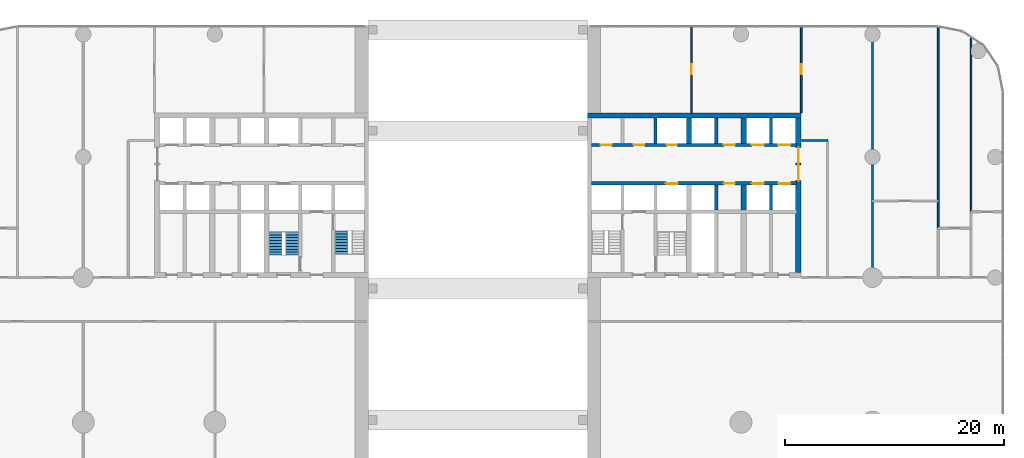
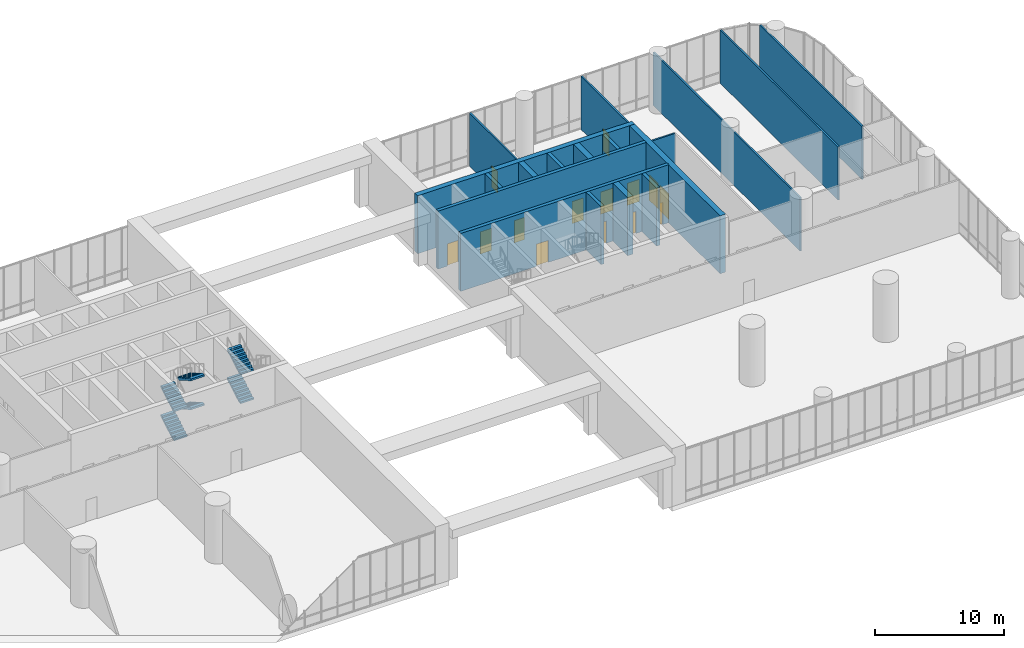
# One storey, part 27 of 30: 18 walls, 14 doors, 6 stair flights, 14 openings, 2 elements without a shape of their own.
"""IFC4 building model written with IfcOpenShell, lengths in metres."""

import ifcopenshell
import ifcopenshell.guid

model = None  # the IFC model being written
_history = None  # IfcOwnerHistory: only IFC2X3 demands one
_inside = {}  # id of a spatial element -> (the spatial element, [elements in it])
_under = {}  # id of a project, library or spatial element -> (it, [spatial elements below it])
_declared = {}  # id of a project -> (the project, [libraries it declares])
_typed = {}  # id of a type object -> (the type object, [elements of that type])
_made_of = {}  # id of a material, layer set ... -> (it, [elements and type objects made of it])


def new_model(schema):
    """Start an empty IFC model of exactly this schema.

    Asked for "IFC4X3", IfcOpenShell would pick the latest addendum, in which some entities
    have other attributes; the version numbers below select the first issue.
    IFC2X3 requires an IfcOwnerHistory on every rooted entity: one is made here for all.
    """
    global model, _history
    if schema == "IFC4X3":
        model = ifcopenshell.file(schema_version=(4, 3, 0, 0))
    else:
        model = ifcopenshell.file(schema=schema)
    _inside.clear()
    _under.clear()
    _declared.clear()
    _typed.clear()
    _made_of.clear()
    _history = None
    if model.schema == "IFC2X3":
        org = make("IfcOrganization", Name="unknown")
        user = make(
            "IfcPersonAndOrganization",
            ThePerson=make("IfcPerson", FamilyName="unknown"),
            TheOrganization=org,
        )
        app = make(
            "IfcApplication",
            ApplicationDeveloper=org,
            Version="unknown",
            ApplicationFullName="unknown",
            ApplicationIdentifier="unknown",
        )
        _history = make(
            "IfcOwnerHistory",
            OwningUser=user,
            OwningApplication=app,
            ChangeAction="ADDED",
            CreationDate=0,
        )
    return model


def make(cls, **values):
    """One entity of the class cls with the attributes given. An attribute that is None is left unset."""
    return model.create_entity(
        cls, **{name: value for name, value in values.items() if value is not None}
    )


def rooted(cls, **values):
    """An entity with a GlobalId (a new one), such as an element, a storey or a relation."""
    return make(cls, GlobalId=ifcopenshell.guid.new(), OwnerHistory=_history, **values)


def si_unit(unit_type, name, prefix=None):
    """IfcSIUnit, for example si_unit("LENGTHUNIT", "METRE", prefix="MILLI")."""
    return make("IfcSIUnit", UnitType=unit_type, Prefix=prefix, Name=name)


def assignment(units):
    """IfcUnitAssignment: the units of a project."""
    return None if units is None else make("IfcUnitAssignment", Units=units)


def point(xyz):
    """IfcCartesianPoint."""
    return None if xyz is None else make("IfcCartesianPoint", Coordinates=xyz)


def direction(xyz):
    """IfcDirection."""
    return None if xyz is None else make("IfcDirection", DirectionRatios=xyz)


def frame(location, z_axis=None, x_axis=None):
    """IfcAxis2Placement3D, a coordinate frame: its origin and axes. An axis left out is left unset."""
    return make(
        "IfcAxis2Placement3D",
        Location=point(location),
        Axis=direction(z_axis),
        RefDirection=direction(x_axis),
    )


def frame_2d(location, x_axis=None):
    """IfcAxis2Placement2D, a coordinate frame in the plane: its origin and x axis."""
    return make(
        "IfcAxis2Placement2D", Location=point(location), RefDirection=direction(x_axis)
    )


def origin():
    """The frame at (0, 0, 0) with its axes left unset."""
    return frame((0.0, 0.0, 0.0))


def place(relative_to, where):
    """IfcLocalPlacement: puts the frame where relative to a parent placement (None: the world)."""
    return make(
        "IfcLocalPlacement", PlacementRelTo=relative_to, RelativePlacement=where
    )


def context(
    kind, dimensions, precision=None, world=None, true_north=None, identifier=None
):
    """IfcGeometricRepresentationContext, for example the 3D "Model" context."""
    return make(
        "IfcGeometricRepresentationContext",
        ContextIdentifier=identifier,
        ContextType=kind,
        CoordinateSpaceDimension=dimensions,
        Precision=precision,
        WorldCoordinateSystem=world,
        TrueNorth=true_north,
    )


def subcontext(parent, identifier, kind, view, scale=None):
    """IfcGeometricRepresentationSubContext, for example "Body" below "Model"."""
    return make(
        "IfcGeometricRepresentationSubContext",
        ContextIdentifier=identifier,
        ContextType=kind,
        ParentContext=parent,
        TargetScale=scale,
        TargetView=view,
    )


def project(units=None, contexts=None):
    """IfcProject with its units and contexts."""
    return rooted(
        "IfcProject",
        Name="project",
        RepresentationContexts=contexts,
        UnitsInContext=assignment(units),
    )


def spatial(cls, under=None, at=None, **own):
    """A site, building, storey or space (cls), placed at a placement, below another one or the project."""
    s = rooted(cls, ObjectPlacement=at, **own)
    if under is not None:
        _under.setdefault(under.id(), (under, []))[1].append(s)
    return s


def polyline(points):
    """IfcPolyline through the points."""
    return make("IfcPolyline", Points=[point(p) for p in points])


def profile(cls, at=None, kind="AREA", **sizes):
    """A parametric profile (cls). Its sizes go by their IFC names, for example OverallWidth=200.0."""
    return make(cls, ProfileType=kind, Position=at, **sizes)


def rectangle(**sizes):
    """IfcRectangleProfileDef."""
    return profile("IfcRectangleProfileDef", **sizes)


def outline(outer, holes=None, kind="AREA"):
    """IfcArbitraryClosedProfileDef: a profile drawn as a closed curve; with holes, ...WithVoids."""
    if holes is None:
        return make("IfcArbitraryClosedProfileDef", ProfileType=kind, OuterCurve=outer)
    return make(
        "IfcArbitraryProfileDefWithVoids",
        ProfileType=kind,
        OuterCurve=outer,
        InnerCurves=holes,
    )


def extrude(swept, where, along, depth):
    """IfcExtrudedAreaSolid: the profile swept, set in the frame where, extruded along a direction by depth."""
    return make(
        "IfcExtrudedAreaSolid",
        SweptArea=swept,
        Position=where,
        ExtrudedDirection=direction(along),
        Depth=depth,
    )


def shape(context_of_items, identifier, shape_type, items):
    """IfcShapeRepresentation: the items that make up one representation, for example the "Body"."""
    return make(
        "IfcShapeRepresentation",
        ContextOfItems=context_of_items,
        RepresentationIdentifier=identifier,
        RepresentationType=shape_type,
        Items=items,
    )


def material(Name=None, Category=None):
    """IfcMaterial."""
    return make("IfcMaterial", Name=Name, Category=Category)


def layer(
    of_material, thickness, ventilated=None, Name=None, Category=None, Priority=None
):
    """IfcMaterialLayer: one layer of a wall or slab, of a material (None: an air gap)."""
    return make(
        "IfcMaterialLayer",
        Material=of_material,
        LayerThickness=thickness,
        IsVentilated=ventilated,
        Name=Name,
        Category=Category,
        Priority=Priority,
    )


def layer_set(layers, Name=None):
    """IfcMaterialLayerSet."""
    return make("IfcMaterialLayerSet", MaterialLayers=layers, LayerSetName=Name)


def made_of(thing, what):
    """Note that an element or type object is made of a material, layer set ...; save() writes the relation."""
    if what is not None:
        _made_of.setdefault(what.id(), (what, []))[1].append(thing)
    return thing


def type_object(cls, material=None, **own):
    """A type object (cls), such as IfcWallType, which elements share."""
    return made_of(rooted(cls, **own), material)


def element(
    cls,
    number,
    at=None,
    inside=None,
    cuts=None,
    type_object=None,
    material=None,
    context=None,
    identifier="Body",
    shape_type=None,
    held_by="IfcProductDefinitionShape",
    body=None,
    shapes=None,
    **own,
):
    """One element of the class cls, such as IfcWall. Its Tag is "e" and its number.

    at: its placement. inside: the storey or other place that contains it. cuts: it is an
    opening in that element (IfcRelVoidsElement). A single representation is given by context,
    identifier, shape_type and body (its items); several are given by shapes. held_by: the class
    of the entity that holds the representations. save() writes the other relations.
    """
    e = rooted(cls, Tag="e%d" % number, ObjectPlacement=at, **own)
    if body is not None:
        shapes = [shape(context, identifier, shape_type, body)]
    if shapes is not None:
        e.Representation = make(held_by, Representations=shapes)
    if inside is not None:
        _inside.setdefault(inside.id(), (inside, []))[1].append(e)
    if cuts is not None:
        rooted(
            "IfcRelVoidsElement", RelatingBuildingElement=cuts, RelatedOpeningElement=e
        )
    if type_object is not None:
        _typed.setdefault(type_object.id(), (type_object, []))[1].append(e)
    return made_of(e, material)


def fill(opening, filler):
    """IfcRelFillsElement: the door or window that sits in an opening."""
    return rooted(
        "IfcRelFillsElement",
        RelatingOpeningElement=opening,
        RelatedBuildingElement=filler,
    )


def aggregate(whole, parts):
    """IfcRelAggregates: a whole, such as a stair, and the parts it consists of."""
    return rooted("IfcRelAggregates", RelatingObject=whole, RelatedObjects=parts)


def save(model, path):
    """Write the relations noted so far, then the file.

    IfcRelAggregates (storeys below a building ...), IfcRelContainedInSpatialStructure (elements
    in a storey), IfcRelDefinesByType, IfcRelAssociatesMaterial and IfcRelDeclares: one each for
    every whole, place, type object, material and project.
    """
    for whole, parts in _under.values():
        aggregate(whole, parts)
    for where, things in _inside.values():
        rooted(
            "IfcRelContainedInSpatialStructure",
            RelatedElements=things,
            RelatingStructure=where,
        )
    for kind, things in _typed.values():
        rooted("IfcRelDefinesByType", RelatedObjects=things, RelatingType=kind)
    for what, things in _made_of.values():
        rooted("IfcRelAssociatesMaterial", RelatedObjects=things, RelatingMaterial=what)
    for by, libraries in _declared.values():
        rooted("IfcRelDeclares", RelatingContext=by, RelatedDefinitions=libraries)
    model.write(path)


model = new_model("IFC4")

# Units and contexts
model_context = context("Model", 3, precision=1e-05, world=origin(), true_north=direction((0.0, 1.0)))
body_context = subcontext(model_context, "Body", "Model", "MODEL_VIEW")
ifc_project = project(units=[si_unit("LENGTHUNIT", "METRE"), si_unit("AREAUNIT", "SQUARE_METRE"), si_unit("VOLUMEUNIT", "CUBIC_METRE"), si_unit("PLANEANGLEUNIT", "RADIAN"), si_unit("MASSUNIT", "GRAM", prefix="KILO")], contexts=[model_context])

# Site, building, storey
site_placement = place(None, origin())
site = spatial("IfcSite", under=ifc_project, at=site_placement, CompositionType="ELEMENT")
building_placement = place(site_placement, origin())
building = spatial("IfcBuilding", under=site, at=building_placement, Name="Torana Hotel and Residences", CompositionType="ELEMENT")
storey_placement = place(building_placement, frame((0.0, 0.0, 12.5)))
storey = spatial("IfcBuildingStorey", under=building, at=storey_placement, Name="L02", CompositionType="ELEMENT", Elevation=12.5)

# Wall, openings, doors
ifc_material_1 = material(Name="Concrete C80/95", Category="concrete")
ifc_layer_1 = layer(ifc_material_1, 0.300048828125)
ifc_layer_set_1 = layer_set([ifc_layer_1], Name="CORE WALL 300 C80/95")
wall_type_1 = type_object("IfcWallType", Name="CORE WALL 300 C80/95", PredefinedType="SHEAR", material=ifc_layer_set_1)
wall_1_placement = place(storey_placement, frame((10.35009765625, -2.89990234375, 0.0), z_axis=(0.0, 0.0, 1.0), x_axis=(1.0, 0.0, 0.0)))
wall_1 = element("IfcWall", 1, at=wall_1_placement, inside=storey, type_object=wall_type_1, Name="Core wall E row-N", PredefinedType="SHEAR", context=body_context, shape_type="SweptSolid", body=[
    extrude(rectangle(XDim=18.699951171875, YDim=0.300048828125, at=frame_2d((9.35009765625, 0.0))), origin(), (0.0, 0.0, 1.0), 5.5),
])
opening_1_placement = place(wall_1_placement, frame((14.64990234375, 0.0, 0.0)))
opening_1 = element("IfcOpeningElement", 2, at=opening_1_placement, cuts=wall_1, Name="Opening LD", PredefinedType="OPENING", context=body_context, shape_type="SweptSolid", body=[
    extrude(rectangle(XDim=1.10009765625, YDim=2.10009765625, at=frame_2d((0.550048828125, 1.050048828125))), frame((0.0, 0.159912109375, 0.0), z_axis=(0.0, -1.0, 0.0), x_axis=(1.0, 0.0, 0.0)), (0.0, 0.0, 1.0), 0.320068359375),
])
opening_2_placement = place(wall_1_placement, frame((17.050048828125, 0.0, 0.0)))
opening_2 = element("IfcOpeningElement", 3, at=opening_2_placement, cuts=wall_1, Name="Opening LD", PredefinedType="OPENING", context=body_context, shape_type="SweptSolid", body=[
    extrude(rectangle(XDim=1.10009765625, YDim=2.10009765625, at=frame_2d((0.550048828125, 1.050048828125))), frame((0.0, 0.159912109375, 0.0), z_axis=(0.0, -1.0, 0.0), x_axis=(1.0, 0.0, 0.0)), (0.0, 0.0, 1.0), 0.320068359375),
])
opening_3_placement = place(wall_1_placement, frame((6.89990234375, 0.0, 0.0)))
opening_3 = element("IfcOpeningElement", 4, at=opening_3_placement, cuts=wall_1, Name="Opening L02-24", PredefinedType="OPENING", context=body_context, shape_type="SweptSolid", body=[
    extrude(rectangle(XDim=0.89990234375, YDim=2.10009765625, at=frame_2d((0.449951171875, 1.050048828125))), frame((0.0, 0.159912109375, 0.0), z_axis=(0.0, -1.0, 0.0), x_axis=(1.0, 0.0, 0.0)), (0.0, 0.0, 1.0), 0.320068359375),
])
opening_4_placement = place(wall_1_placement, frame((0.85009765625, 0.0, 0.0)))
opening_4 = element("IfcOpeningElement", 5, at=opening_4_placement, cuts=wall_1, Name="Opening L02-25", PredefinedType="OPENING", context=body_context, shape_type="SweptSolid", body=[
    extrude(rectangle(XDim=1.0, YDim=2.10009765625, at=frame_2d((0.5, 1.050048828125))), frame((0.0, 0.159912109375, 0.0), z_axis=(0.0, -1.0, 0.0), x_axis=(1.0, 0.0, 0.0)), (0.0, 0.0, 1.0), 0.320068359375),
])
opening_5_placement = place(wall_1_placement, frame((3.85009765625, 0.0, 0.0)))
opening_5 = element("IfcOpeningElement", 6, at=opening_5_placement, cuts=wall_1, Name="Opening L02-26", PredefinedType="OPENING", context=body_context, shape_type="SweptSolid", body=[
    extrude(rectangle(XDim=1.0, YDim=2.10009765625, at=frame_2d((0.5, 1.050048828125))), frame((0.0, 0.159912109375, 0.0), z_axis=(0.0, -1.0, 0.0), x_axis=(1.0, 0.0, 0.0)), (0.0, 0.0, 1.0), 0.320068359375),
])
opening_6_placement = place(wall_1_placement, frame((12.10009765625, 0.0, 0.0)))
opening_6 = element("IfcOpeningElement", 7, at=opening_6_placement, cuts=wall_1, Name="Opening L02-27", PredefinedType="OPENING", context=body_context, shape_type="SweptSolid", body=[
    extrude(rectangle(XDim=1.0, YDim=2.10009765625, at=frame_2d((0.5, 1.050048828125))), frame((0.0, 0.159912109375, 0.0), z_axis=(0.0, -1.0, 0.0), x_axis=(1.0, 0.0, 0.0)), (0.0, 0.0, 1.0), 0.320068359375),
])
ifc_material_2 = material(Name="Steel S235", Category="steel")
door_type_1 = type_object("IfcDoorType", Name="CORE ROOM FIRE DOOR D14 1000x2100", OperationType="SINGLE_SWING_LEFT", PredefinedType="DOOR", material=ifc_material_2)
door_1_placement = place(opening_4_placement, origin())
door_1 = element("IfcDoor", 8, at=door_1_placement, inside=storey, type_object=door_type_1, Name="N0 door L02", OperationType="SINGLE_SWING_RIGHT", OverallHeight=2.10009765625, OverallWidth=1.0, PredefinedType="DOOR", context=body_context, shape_type="SweptSolid", body=[
    extrude(rectangle(XDim=1.0, YDim=2.10009765625, at=frame_2d((0.5, 1.050048828125))), frame((0.0, 0.02490234375, 0.0), z_axis=(0.0, -1.0, 0.0), x_axis=(1.0, 0.0, 0.0)), (0.0, 0.0, 1.0), 0.050048828125),
])
fill(opening_4, door_1)
door_2_placement = place(opening_5_placement, origin())
door_2 = element("IfcDoor", 9, at=door_2_placement, inside=storey, type_object=door_type_1, Name="N1 door L02", OperationType="SINGLE_SWING_RIGHT", OverallHeight=2.10009765625, OverallWidth=1.0, PredefinedType="DOOR", context=body_context, shape_type="SweptSolid", body=[
    extrude(rectangle(XDim=1.0, YDim=2.10009765625, at=frame_2d((0.5, 1.050048828125))), frame((0.0, 0.02490234375, 0.0), z_axis=(0.0, -1.0, 0.0), x_axis=(1.0, 0.0, 0.0)), (0.0, 0.0, 1.0), 0.050048828125),
])
fill(opening_5, door_2)
door_3_placement = place(opening_6_placement, origin())
door_3 = element("IfcDoor", 10, at=door_3_placement, inside=storey, type_object=door_type_1, Name="Free-M3 door L02", OperationType="SINGLE_SWING_RIGHT", OverallHeight=2.10009765625, OverallWidth=1.0, PredefinedType="DOOR", context=body_context, shape_type="SweptSolid", body=[
    extrude(rectangle(XDim=1.0, YDim=2.10009765625, at=frame_2d((0.5, 1.050048828125))), frame((0.0, 0.02490234375, 0.0), z_axis=(0.0, -1.0, 0.0), x_axis=(1.0, 0.0, 0.0)), (0.0, 0.0, 1.0), 0.050048828125),
])
fill(opening_6, door_3)
ifc_material_3 = material(Name="Stainless steel 316", Category="steel")
door_type_2 = type_object("IfcDoorType", Name="LIFT LANDING DOOR LD 1100x2100", OperationType="DOUBLE_DOOR_SLIDING", PredefinedType="USERDEFINED", material=ifc_material_3)
door_4_placement = place(opening_1_placement, origin())
door_4 = element("IfcDoor", 11, at=door_4_placement, inside=storey, type_object=door_type_2, Name="Lift landing door L5 L02", ObjectType="LIFT LANDING DOOR", OperationType="DOUBLE_DOOR_SLIDING", OverallHeight=2.10009765625, OverallWidth=1.10009765625, PredefinedType="USERDEFINED", context=body_context, shape_type="SweptSolid", body=[
    extrude(rectangle(XDim=1.10009765625, YDim=2.10009765625, at=frame_2d((0.550048828125, 1.050048828125))), frame((0.0, 0.02490234375, 0.0), z_axis=(0.0, -1.0, 0.0), x_axis=(1.0, 0.0, 0.0)), (0.0, 0.0, 1.0), 0.050048828125),
])
fill(opening_1, door_4)
door_5_placement = place(opening_2_placement, origin())
door_5 = element("IfcDoor", 12, at=door_5_placement, inside=storey, type_object=door_type_2, Name="Lift landing door L6 L02", ObjectType="LIFT LANDING DOOR", OperationType="DOUBLE_DOOR_SLIDING", OverallHeight=2.10009765625, OverallWidth=1.10009765625, PredefinedType="USERDEFINED", context=body_context, shape_type="SweptSolid", body=[
    extrude(rectangle(XDim=1.10009765625, YDim=2.10009765625, at=frame_2d((0.550048828125, 1.050048828125))), frame((0.0, 0.02490234375, 0.0), z_axis=(0.0, -1.0, 0.0), x_axis=(1.0, 0.0, 0.0)), (0.0, 0.0, 1.0), 0.050048828125),
])
fill(opening_2, door_5)
ifc_material_4 = material(Name="Steel S235", Category="steel")
door_type_3 = type_object("IfcDoorType", Name="RISER ACCESS DOOR D5 900x2100", OperationType="SINGLE_SWING_LEFT", PredefinedType="DOOR", material=ifc_material_4)
door_6_placement = place(opening_3_placement, origin())
door_6 = element("IfcDoor", 13, at=door_6_placement, inside=storey, type_object=door_type_3, Name="N2 door L02", OperationType="SINGLE_SWING_RIGHT", OverallHeight=2.10009765625, OverallWidth=0.89990234375, PredefinedType="DOOR", context=body_context, shape_type="SweptSolid", body=[
    extrude(rectangle(XDim=0.89990234375, YDim=2.10009765625, at=frame_2d((0.449951171875, 1.050048828125))), frame((0.0, 0.02490234375, 0.0), z_axis=(0.0, -1.0, 0.0), x_axis=(1.0, 0.0, 0.0)), (0.0, 0.0, 1.0), 0.050048828125),
])
fill(opening_3, door_6)

wall_2_placement = place(storey_placement, frame((10.35009765625, -6.39990234375, 0.0), z_axis=(0.0, 0.0, 1.0), x_axis=(1.0, 0.0, 0.0)))
wall_2 = element("IfcWall", 14, at=wall_2_placement, inside=storey, type_object=wall_type_1, Name="Core wall E row-S", PredefinedType="SHEAR", context=body_context, shape_type="SweptSolid", body=[
    extrude(rectangle(XDim=18.699951171875, YDim=0.300048828125, at=frame_2d((9.35009765625, 0.0))), origin(), (0.0, 0.0, 1.0), 5.5),
])
opening_7_placement = place(wall_2_placement, frame((14.64990234375, 0.0, 0.0)))
opening_7 = element("IfcOpeningElement", 15, at=opening_7_placement, cuts=wall_2, Name="Opening LD", PredefinedType="OPENING", context=body_context, shape_type="SweptSolid", body=[
    extrude(rectangle(XDim=1.10009765625, YDim=2.10009765625, at=frame_2d((0.550048828125, 1.050048828125))), frame((0.0, 0.159912109375, 0.0), z_axis=(0.0, -1.0, 0.0), x_axis=(1.0, 0.0, 0.0)), (0.0, 0.0, 1.0), 0.320068359375),
])
opening_8_placement = place(wall_2_placement, frame((17.050048828125, 0.0, 0.0)))
opening_8 = element("IfcOpeningElement", 16, at=opening_8_placement, cuts=wall_2, Name="Opening LD", PredefinedType="OPENING", context=body_context, shape_type="SweptSolid", body=[
    extrude(rectangle(XDim=1.10009765625, YDim=2.10009765625, at=frame_2d((0.550048828125, 1.050048828125))), frame((0.0, 0.159912109375, 0.0), z_axis=(0.0, -1.0, 0.0), x_axis=(1.0, 0.0, 0.0)), (0.0, 0.0, 1.0), 0.320068359375),
])
opening_9_placement = place(wall_2_placement, frame((6.800048828125, 0.0, 0.0)))
opening_9 = element("IfcOpeningElement", 17, at=opening_9_placement, cuts=wall_2, Name="Opening LD", PredefinedType="OPENING", context=body_context, shape_type="SweptSolid", body=[
    extrude(rectangle(XDim=1.10009765625, YDim=2.10009765625, at=frame_2d((0.550048828125, 1.050048828125))), frame((0.0, 0.159912109375, 0.0), z_axis=(0.0, -1.0, 0.0), x_axis=(1.0, 0.0, 0.0)), (0.0, 0.0, 1.0), 0.320068359375),
])
opening_10_placement = place(wall_2_placement, frame((12.10009765625, 0.0, 0.0)))
opening_10 = element("IfcOpeningElement", 18, at=opening_10_placement, cuts=wall_2, Name="Opening L02-28", PredefinedType="OPENING", context=body_context, shape_type="SweptSolid", body=[
    extrude(rectangle(XDim=1.0, YDim=2.10009765625, at=frame_2d((0.5, 1.050048828125))), frame((0.0, 0.159912109375, 0.0), z_axis=(0.0, -1.0, 0.0), x_axis=(1.0, 0.0, 0.0)), (0.0, 0.0, 1.0), 0.320068359375),
])
door_7_placement = place(opening_10_placement, frame((0.5, 0.0, 0.0), z_axis=(0.0, 0.0, 1.0), x_axis=(-1.0, 0.0, 0.0)))
door_7 = element("IfcDoor", 19, at=door_7_placement, inside=storey, type_object=door_type_1, Name="Free-M4 door L02", OperationType="SINGLE_SWING_LEFT", OverallHeight=2.10009765625, OverallWidth=1.0, PredefinedType="DOOR", context=body_context, shape_type="SweptSolid", body=[
    extrude(rectangle(XDim=1.0, YDim=2.10009765625, at=frame_2d((0.0, 1.050048828125))), frame((0.0, -0.02490234375, 0.0), z_axis=(0.0, 1.0, 0.0), x_axis=(-1.0, 0.0, 0.0)), (0.0, 0.0, 1.0), 0.050048828125),
])
fill(opening_10, door_7)
door_8_placement = place(opening_7_placement, origin())
door_8 = element("IfcDoor", 20, at=door_8_placement, inside=storey, type_object=door_type_2, Name="Lift landing door L7 L02", ObjectType="LIFT LANDING DOOR", OperationType="DOUBLE_DOOR_SLIDING", OverallHeight=2.10009765625, OverallWidth=1.10009765625, PredefinedType="USERDEFINED", context=body_context, shape_type="SweptSolid", body=[
    extrude(rectangle(XDim=1.10009765625, YDim=2.10009765625, at=frame_2d((0.550048828125, 1.050048828125))), frame((0.0, 0.02490234375, 0.0), z_axis=(0.0, -1.0, 0.0), x_axis=(1.0, 0.0, 0.0)), (0.0, 0.0, 1.0), 0.050048828125),
])
fill(opening_7, door_8)
door_9_placement = place(opening_8_placement, origin())
door_9 = element("IfcDoor", 21, at=door_9_placement, inside=storey, type_object=door_type_2, Name="Lift landing door L8 L02", ObjectType="LIFT LANDING DOOR", OperationType="DOUBLE_DOOR_SLIDING", OverallHeight=2.10009765625, OverallWidth=1.10009765625, PredefinedType="USERDEFINED", context=body_context, shape_type="SweptSolid", body=[
    extrude(rectangle(XDim=1.10009765625, YDim=2.10009765625, at=frame_2d((0.550048828125, 1.050048828125))), frame((0.0, 0.02490234375, 0.0), z_axis=(0.0, -1.0, 0.0), x_axis=(1.0, 0.0, 0.0)), (0.0, 0.0, 1.0), 0.050048828125),
])
fill(opening_8, door_9)
door_10_placement = place(opening_9_placement, origin())
door_10 = element("IfcDoor", 22, at=door_10_placement, inside=storey, type_object=door_type_2, Name="Lift landing door SV2 L02", ObjectType="LIFT LANDING DOOR", OperationType="DOUBLE_DOOR_SLIDING", OverallHeight=2.10009765625, OverallWidth=1.10009765625, PredefinedType="USERDEFINED", context=body_context, shape_type="SweptSolid", body=[
    extrude(rectangle(XDim=1.10009765625, YDim=2.10009765625, at=frame_2d((0.550048828125, 1.050048828125))), frame((0.0, 0.02490234375, 0.0), z_axis=(0.0, -1.0, 0.0), x_axis=(1.0, 0.0, 0.0)), (0.0, 0.0, 1.0), 0.050048828125),
])
fill(opening_9, door_10)

# Walls
for number, where, z_axis, x_axis, name in (
    (23, (16.199951171875, -2.75, 0.0), (0.0, 0.0, 1.0), (0.0, 1.0, 0.0), "Core wall E x6.05-N"),
    (24, (21.75, -2.75, 0.0), (0.0, 0.0, 1.0), (0.0, 1.0, 0.0), "Core wall E mm-N"),
    (25, (21.75, -8.85009765625, 0.0), (0.0, 0.0, 1.0), (0.0, 1.0, 0.0), "Core wall E mm-S"),
    (26, (26.75, -2.75, 0.0), (0.0, 0.0, 1.0), (0.0, 1.0, 0.0), "Core wall E ll-N"),
    (27, (26.75, -8.85009765625, 0.0), (0.0, 0.0, 1.0), (0.0, 1.0, 0.0), "Core wall E ll-S"),
):
    element("IfcWall", number, at=place(storey_placement, frame(where, z_axis=z_axis, x_axis=x_axis)), inside=storey, type_object=wall_type_1, Name=name, PredefinedType="SHEAR", context=body_context, shape_type="SweptSolid", body=[
        extrude(rectangle(XDim=2.300048828125, YDim=0.300048828125, at=frame_2d((1.14990234375, 0.0))), origin(), (0.0, 0.0, 1.0), 5.5),
    ])
ifc_material_5 = material(Name="Concrete C80/95", Category="concrete")
ifc_layer_2 = layer(ifc_material_5, 0.449951171875)
ifc_layer_set_2 = layer_set([ifc_layer_2], Name="CORE WALL 450 C80/95")
wall_type_2 = type_object("IfcWallType", Name="CORE WALL 450 C80/95", PredefinedType="SHEAR", material=ifc_layer_set_2)
wall_3_placement = place(storey_placement, frame((10.0, -0.22509765625, 0.0), z_axis=(0.0, 0.0, 1.0), x_axis=(1.0, 0.0, 0.0)))
element("IfcWall", 28, at=wall_3_placement, inside=storey, type_object=wall_type_2, Name="Core wall E rear", PredefinedType="SHEAR", context=body_context, shape_type="SweptSolid", body=[
    extrude(rectangle(XDim=19.5, YDim=0.449951171875, at=frame_2d((9.75, 0.0))), origin(), (0.0, 0.0, 1.0), 5.5),
])
wall_4_placement = place(storey_placement, frame((19.27490234375, -2.75, 0.0), z_axis=(0.0, 0.0, 1.0), x_axis=(0.0, 1.0, 0.0)))
element("IfcWall", 29, at=wall_4_placement, inside=storey, type_object=wall_type_2, Name="Core wall E hm-N", PredefinedType="SHEAR", context=body_context, shape_type="SweptSolid", body=[
    extrude(rectangle(XDim=2.300048828125, YDim=0.449951171875, at=frame_2d((1.14990234375, 0.0))), origin(), (0.0, 0.0, 1.0), 5.5),
])

# Wall, openings, doors
ifc_material_6 = material(Name="Concrete C80/95", Category="concrete")
ifc_layer_3 = layer(ifc_material_6, 0.5)
ifc_layer_set_3 = layer_set([ifc_layer_3], Name="CORE WALL 500 C80/95")
wall_type_3 = type_object("IfcWallType", Name="CORE WALL 500 C80/95", PredefinedType="SHEAR", material=ifc_layer_set_3)
wall_5_placement = place(storey_placement, frame((29.25, -14.550048828125, 0.0), z_axis=(0.0, 0.0, 1.0), x_axis=(0.0, 1.0, 0.0)))
wall_5 = element("IfcWall", 30, at=wall_5_placement, inside=storey, type_object=wall_type_3, Name="Core wall E outer", PredefinedType="SHEAR", context=body_context, shape_type="SweptSolid", body=[
    extrude(rectangle(XDim=14.10009765625, YDim=0.5, at=frame_2d((7.050048828125, 0.0))), origin(), (0.0, 0.0, 1.0), 5.5),
])
opening_11_placement = place(wall_5_placement, frame((8.39990234375, 0.0, 0.0)))
opening_11 = element("IfcOpeningElement", 31, at=opening_11_placement, cuts=wall_5, Name="Opening L02-16", PredefinedType="OPENING", context=body_context, shape_type="SweptSolid", body=[
    extrude(rectangle(XDim=1.39990234375, YDim=2.39990234375, at=frame_2d((0.699951171875, 1.199951171875))), frame((0.0, 0.260009765625, 0.0), z_axis=(0.0, -1.0, 0.0), x_axis=(1.0, 0.0, 0.0)), (0.0, 0.0, 1.0), 0.52001953125),
])
opening_12_placement = place(wall_5_placement, frame((10.0, 0.0, 0.0)))
opening_12 = element("IfcOpeningElement", 32, at=opening_12_placement, cuts=wall_5, Name="Opening L02-17", PredefinedType="OPENING", context=body_context, shape_type="SweptSolid", body=[
    extrude(rectangle(XDim=1.39990234375, YDim=2.39990234375, at=frame_2d((0.699951171875, 1.199951171875))), frame((0.0, 0.260009765625, 0.0), z_axis=(0.0, -1.0, 0.0), x_axis=(1.0, 0.0, 0.0)), (0.0, 0.0, 1.0), 0.52001953125),
])
ifc_material_7 = material(Name="Steel S235", Category="steel")
door_type_4 = type_object("IfcDoorType", Name="LOBBY FIRE DOOR D4 1400x2400", OperationType="DOUBLE_DOOR_SINGLE_SWING", PredefinedType="DOOR", material=ifc_material_7)
door_11_placement = place(opening_11_placement, origin())
door_11 = element("IfcDoor", 33, at=door_11_placement, inside=storey, type_object=door_type_4, Name="Lobby-1 door L02", OperationType="DOUBLE_DOOR_SINGLE_SWING", OverallHeight=2.39990234375, OverallWidth=1.39990234375, PredefinedType="DOOR", context=body_context, shape_type="SweptSolid", body=[
    extrude(rectangle(XDim=1.39990234375, YDim=2.39990234375, at=frame_2d((0.699951171875, 1.199951171875))), frame((0.0, 0.02490234375, 0.0), z_axis=(0.0, -1.0, 0.0), x_axis=(1.0, 0.0, 0.0)), (0.0, 0.0, 1.0), 0.050048828125),
])
fill(opening_11, door_11)
door_12_placement = place(opening_12_placement, origin())
door_12 = element("IfcDoor", 34, at=door_12_placement, inside=storey, type_object=door_type_4, Name="Lobby-2 door L02", OperationType="DOUBLE_DOOR_SINGLE_SWING", OverallHeight=2.39990234375, OverallWidth=1.39990234375, PredefinedType="DOOR", context=body_context, shape_type="SweptSolid", body=[
    extrude(rectangle(XDim=1.39990234375, YDim=2.39990234375, at=frame_2d((0.699951171875, 1.199951171875))), frame((0.0, 0.02490234375, 0.0), z_axis=(0.0, -1.0, 0.0), x_axis=(1.0, 0.0, 0.0)), (0.0, 0.0, 1.0), 0.050048828125),
])
fill(opening_12, door_12)

# Walls
for number, where, z_axis, x_axis, name in (
    (35, (24.25, -2.75, 0.0), (0.0, 0.0, 1.0), (0.0, 1.0, 0.0), "Core wall E ml-N"),
    (36, (24.25, -8.85009765625, 0.0), (0.0, 0.0, 1.0), (0.0, 1.0, 0.0), "Core wall E ml-S"),
):
    element("IfcWall", number, at=place(storey_placement, frame(where, z_axis=z_axis, x_axis=x_axis)), inside=storey, type_object=wall_type_3, Name=name, PredefinedType="SHEAR", context=body_context, shape_type="SweptSolid", body=[
        extrude(rectangle(XDim=2.300048828125, YDim=0.5, at=frame_2d((1.14990234375, 0.0))), origin(), (0.0, 0.0, 1.0), 5.5),
    ])
ifc_material_8 = material(Name="Gypsum plaster")
ifc_layer_4 = layer(ifc_material_8, 0.014892578125, Name="Plaster", Category="finish")
ifc_material_9 = material(Name="Concrete blockwork", Category="masonry")
ifc_layer_5 = layer(ifc_material_9, 0.1201171875, Name="Blockwork", Category="structure")
ifc_layer_6 = layer(ifc_material_8, 0.014892578125, Name="Plaster", Category="finish")
ifc_layer_set_4 = layer_set([ifc_layer_4, ifc_layer_5, ifc_layer_6], Name="FIRE PARTITION 150 BLOCKWORK")
wall_type_4 = type_object("IfcWallType", Name="FIRE PARTITION 150 BLOCKWORK", PredefinedType="PARTITIONING", material=ifc_layer_set_4)
wall_6_placement = place(storey_placement, frame((29.550048828125, -2.5, 0.0), z_axis=(0.0, 0.0, 1.0), x_axis=(1.0, 0.0, 0.0)))
element("IfcWall", 37, at=wall_6_placement, inside=storey, type_object=wall_type_4, Name="Partition L02", PredefinedType="PARTITIONING", context=body_context, shape_type="SweptSolid", body=[
    extrude(rectangle(XDim=2.349853515625, YDim=0.14990234375, at=frame_2d((1.1748046875, 0.0))), origin(), (0.0, 0.0, 1.0), 5.050048828125),
])
ifc_material_10 = material(Name="Gypsum plasterboard")
ifc_layer_7 = layer(ifc_material_10, 0.012451171875, Name="Plasterboard", Category="finish")
ifc_layer_8 = layer(ifc_material_10, 0.012451171875, Name="Plasterboard", Category="finish")
ifc_material_11 = material(Name="Steel S280GD", Category="steel")
ifc_layer_9 = layer(ifc_material_11, 0.10009765625, Name="Steel studs with mineral wool", Category="insulation")
ifc_layer_10 = layer(ifc_material_10, 0.012451171875, Name="Plasterboard", Category="finish")
ifc_layer_11 = layer(ifc_material_10, 0.012451171875, Name="Plasterboard", Category="finish")
ifc_layer_set_5 = layer_set([ifc_layer_7, ifc_layer_8, ifc_layer_9, ifc_layer_10, ifc_layer_11], Name="PARTITION 150 PLASTERBOARD")
wall_type_5 = type_object("IfcWallType", Name="PARTITION 150 PLASTERBOARD", PredefinedType="PARTITIONING", material=ifc_layer_set_5)
wall_7_placement = place(storey_placement, frame((45.0, -9.0, 0.0), z_axis=(0.0, 0.0, 1.0), x_axis=(0.0, 1.0, 0.0)))
element("IfcWall", 38, at=wall_7_placement, inside=storey, type_object=wall_type_5, Name="Partition L02", PredefinedType="PARTITIONING", context=body_context, shape_type="SweptSolid", body=[
    extrude(rectangle(XDim=15.8564453125, YDim=0.14990234375, at=frame_2d((7.92822265625, 0.0))), origin(), (0.0, 0.0, 1.0), 5.050048828125),
])
wall_8_placement = place(storey_placement, frame((42.0, -10.5, 0.0), z_axis=(0.0, 0.0, 1.0), x_axis=(0.0, 1.0, 0.0)))
element("IfcWall", 39, at=wall_8_placement, inside=storey, type_object=wall_type_5, Name="Partition L02", PredefinedType="PARTITIONING", context=body_context, shape_type="SweptSolid", body=[
    extrude(rectangle(XDim=18.31640625, YDim=0.14990234375, at=frame_2d((9.158203125, 0.0))), origin(), (0.0, 0.0, 1.0), 5.050048828125),
])
wall_9_placement = place(storey_placement, frame((36.0, -15.0, 0.0), z_axis=(0.0, 0.0, 1.0), x_axis=(0.0, 1.0, 0.0)))
element("IfcWall", 40, at=wall_9_placement, inside=storey, type_object=wall_type_5, Name="Partition L02", PredefinedType="PARTITIONING", context=body_context, shape_type="SweptSolid", body=[
    extrude(rectangle(XDim=22.820068359375, YDim=0.14990234375, at=frame_2d((11.41015625, 0.0))), origin(), (0.0, 0.0, 1.0), 5.050048828125),
])

# Wall, opening, door
wall_10_placement = place(storey_placement, frame((29.5, 0.050048828125, 0.0), z_axis=(0.0, 0.0, 1.0), x_axis=(0.0, 1.0, 0.0)))
wall_10 = element("IfcWall", 41, at=wall_10_placement, inside=storey, type_object=wall_type_5, Name="Partition L02", PredefinedType="PARTITIONING", context=body_context, shape_type="SweptSolid", body=[
    extrude(rectangle(XDim=7.77001953125, YDim=0.14990234375, at=frame_2d((3.885009765625, 0.0))), origin(), (0.0, 0.0, 1.0), 5.050048828125),
])
opening_13_placement = place(wall_10_placement, frame((3.5, 0.0, 0.0)))
opening_13 = element("IfcOpeningElement", 42, at=opening_13_placement, cuts=wall_10, Name="Opening L02-40", PredefinedType="OPENING", context=body_context, shape_type="SweptSolid", body=[
    extrude(rectangle(XDim=0.89990234375, YDim=2.10009765625, at=frame_2d((0.449951171875, 1.050048828125))), frame((0.0, 0.0849609375, 0.0), z_axis=(0.0, -1.0, 0.0), x_axis=(1.0, 0.0, 0.0)), (0.0, 0.0, 1.0), 0.169921875),
])
ifc_material_12 = material(Name="Timber door, oiled ash", Category="wood")
door_type_5 = type_object("IfcDoorType", Name="ROOM DOOR D7 900x2100", OperationType="SINGLE_SWING_LEFT", PredefinedType="DOOR", material=ifc_material_12)
door_13_placement = place(opening_13_placement, origin())
door_13 = element("IfcDoor", 43, at=door_13_placement, inside=storey, type_object=door_type_5, Name="Door L02", OperationType="SINGLE_SWING_RIGHT", OverallHeight=2.10009765625, OverallWidth=0.89990234375, PredefinedType="DOOR", context=body_context, shape_type="SweptSolid", body=[
    extrude(rectangle(XDim=0.89990234375, YDim=2.10009765625, at=frame_2d((0.449951171875, 1.050048828125))), frame((0.0, 0.02490234375, 0.0), z_axis=(0.0, -1.0, 0.0), x_axis=(1.0, 0.0, 0.0)), (0.0, 0.0, 1.0), 0.050048828125),
])
fill(opening_13, door_13)

wall_11_placement = place(storey_placement, frame((19.5, 0.050048828125, 0.0), z_axis=(0.0, 0.0, 1.0), x_axis=(0.0, 1.0, 0.0)))
wall_11 = element("IfcWall", 44, at=wall_11_placement, inside=storey, type_object=wall_type_5, Name="Partition L02", PredefinedType="PARTITIONING", context=body_context, shape_type="SweptSolid", body=[
    extrude(rectangle(XDim=7.77001953125, YDim=0.14990234375, at=frame_2d((3.885009765625, 0.0))), origin(), (0.0, 0.0, 1.0), 5.050048828125),
])
opening_14_placement = place(wall_11_placement, frame((3.5, 0.0, 0.0)))
opening_14 = element("IfcOpeningElement", 45, at=opening_14_placement, cuts=wall_11, Name="Opening L02-41", PredefinedType="OPENING", context=body_context, shape_type="SweptSolid", body=[
    extrude(rectangle(XDim=0.89990234375, YDim=2.10009765625, at=frame_2d((0.449951171875, 1.050048828125))), frame((0.0, 0.0849609375, 0.0), z_axis=(0.0, -1.0, 0.0), x_axis=(1.0, 0.0, 0.0)), (0.0, 0.0, 1.0), 0.169921875),
])
door_14_placement = place(opening_14_placement, origin())
door_14 = element("IfcDoor", 46, at=door_14_placement, inside=storey, type_object=door_type_5, Name="Door L02", OperationType="SINGLE_SWING_RIGHT", OverallHeight=2.10009765625, OverallWidth=0.89990234375, PredefinedType="DOOR", context=body_context, shape_type="SweptSolid", body=[
    extrude(rectangle(XDim=0.89990234375, YDim=2.10009765625, at=frame_2d((0.449951171875, 1.050048828125))), frame((0.0, 0.02490234375, 0.0), z_axis=(0.0, -1.0, 0.0), x_axis=(1.0, 0.0, 0.0)), (0.0, 0.0, 1.0), 0.050048828125),
])
fill(opening_14, door_14)

# Stair, stair flights
ifc_material_13 = material(Name="Concrete C40/50 precast", Category="concrete")
stair_type_1 = type_object("IfcStairType", Name="STAIR ST1 HALF TURN 1200", PredefinedType="HALF_TURN_STAIR", material=ifc_material_13)
stair_1_placement = place(storey_placement, origin())
stair_1 = element("IfcStair", 47, at=stair_1_placement, inside=storey, type_object=stair_type_1, Name="Stair ST1 L02", PredefinedType="HALF_TURN_STAIR")
ifc_material_14 = material(Name="Concrete C40/50 precast", Category="concrete")
stair_flight_type = type_object("IfcStairFlightType", Name="STAIR FLIGHT 1200 PRECAST", PredefinedType="STRAIGHT", material=ifc_material_14)
stair_flight_1_placement = place(storey_placement, frame((-12.449951171875, -12.8701171875, 1.375), z_axis=(0.0, 0.0, 1.0), x_axis=(0.0, 1.0, 0.0)))
stair_flight_1 = element("IfcStairFlight", 48, at=stair_flight_1_placement, type_object=stair_flight_type, Name="ST1 flight 2", NumberOfRisers=9, NumberOfTreads=8, PredefinedType="STRAIGHT", RiserHeight=0.152777778, TreadLength=0.265, context=body_context, shape_type="SweptSolid", body=[
    extrude(outline(polyline([(0.0, 0.0), (0.0, 0.15283203125), (0.264892578125, 0.15283203125), (0.264892578125, 0.3056640625), (0.530029296875, 0.3056640625), (0.530029296875, 0.458251953125), (0.794921875, 0.458251953125), (0.794921875, 0.611083984375), (1.06005859375, 0.611083984375), (1.06005859375, 0.763916015625), (1.324951171875, 0.763916015625), (1.324951171875, 0.916748046875), (1.590087890625, 0.916748046875), (1.590087890625, 1.0693359375), (1.85498046875, 1.0693359375), (1.85498046875, 1.22216796875), (2.1201171875, 1.22216796875), (2.1201171875, 1.375), (2.1201171875, 1.049072265625), (0.300048828125, 0.0), (0.0, 0.0)])), frame((0.0, 0.60009765625, 0.0), z_axis=(0.0, -1.0, 0.0), x_axis=(1.0, 0.0, 0.0)), (0.0, 0.0, 1.0), 1.199951171875),
])
stair_flight_2_placement = place(storey_placement, frame((-12.449951171875, -12.8701171875, 4.125), z_axis=(0.0, 0.0, 1.0), x_axis=(0.0, 1.0, 0.0)))
stair_flight_2 = element("IfcStairFlight", 49, at=stair_flight_2_placement, type_object=stair_flight_type, Name="ST1 flight 4", NumberOfRisers=9, NumberOfTreads=8, PredefinedType="STRAIGHT", RiserHeight=0.152777778, TreadLength=0.265, context=body_context, shape_type="SweptSolid", body=[
    extrude(outline(polyline([(0.0, 0.0), (0.0, 0.15283203125), (0.264892578125, 0.15283203125), (0.264892578125, 0.3056640625), (0.530029296875, 0.3056640625), (0.530029296875, 0.458251953125), (0.794921875, 0.458251953125), (0.794921875, 0.611083984375), (1.06005859375, 0.611083984375), (1.06005859375, 0.763916015625), (1.324951171875, 0.763916015625), (1.324951171875, 0.916748046875), (1.590087890625, 0.916748046875), (1.590087890625, 1.0693359375), (1.85498046875, 1.0693359375), (1.85498046875, 1.22216796875), (2.1201171875, 1.22216796875), (2.1201171875, 1.375), (2.1201171875, 1.049072265625), (0.300048828125, 0.0), (0.0, 0.0)])), frame((0.0, 0.60009765625, 0.0), z_axis=(0.0, -1.0, 0.0), x_axis=(1.0, 0.0, 0.0)), (0.0, 0.0, 1.0), 1.199951171875),
])
aggregate(stair_1, [stair_flight_1, stair_flight_2])

ifc_material_15 = material(Name="Concrete C40/50 precast", Category="concrete")
stair_type_2 = type_object("IfcStairType", Name="STAIR ST2 HALF TURN 1200", PredefinedType="HALF_TURN_STAIR", material=ifc_material_15)
stair_2_placement = place(storey_placement, origin())
stair_2 = element("IfcStair", 50, at=stair_2_placement, inside=storey, type_object=stair_type_2, Name="Stair ST2 L02", PredefinedType="HALF_TURN_STAIR")
stair_flight_3_placement = place(storey_placement, frame((-18.449951171875, -12.949951171875, 0.0), z_axis=(0.0, 0.0, 1.0), x_axis=(0.0, 1.0, 0.0)))
stair_flight_3 = element("IfcStairFlight", 51, at=stair_flight_3_placement, type_object=stair_flight_type, Name="ST2 flight 1", NumberOfRisers=9, NumberOfTreads=8, PredefinedType="STRAIGHT", RiserHeight=0.152777778, TreadLength=0.265, context=body_context, shape_type="SweptSolid", body=[
    extrude(outline(polyline([(0.0, 0.0), (0.0, 0.15283203125), (0.264892578125, 0.15283203125), (0.264892578125, 0.3056640625), (0.530029296875, 0.3056640625), (0.530029296875, 0.458251953125), (0.794921875, 0.458251953125), (0.794921875, 0.611083984375), (1.06005859375, 0.611083984375), (1.06005859375, 0.763916015625), (1.324951171875, 0.763916015625), (1.324951171875, 0.916748046875), (1.590087890625, 0.916748046875), (1.590087890625, 1.0693359375), (1.85498046875, 1.0693359375), (1.85498046875, 1.22216796875), (2.1201171875, 1.22216796875), (2.1201171875, 1.375), (2.1201171875, 1.049072265625), (0.300048828125, 0.0), (0.0, 0.0)])), frame((0.0, 0.60009765625, 0.0), z_axis=(0.0, -1.0, 0.0), x_axis=(1.0, 0.0, 0.0)), (0.0, 0.0, 1.0), 1.199951171875),
])
stair_flight_4_placement = place(storey_placement, frame((-16.949951171875, -10.830078125, 1.375), z_axis=(0.0, 0.0, 1.0), x_axis=(0.0, -1.0, 0.0)))
stair_flight_4 = element("IfcStairFlight", 52, at=stair_flight_4_placement, type_object=stair_flight_type, Name="ST2 flight 2", NumberOfRisers=9, NumberOfTreads=8, PredefinedType="STRAIGHT", RiserHeight=0.152777778, TreadLength=0.265, context=body_context, shape_type="SweptSolid", body=[
    extrude(outline(polyline([(0.0, 0.0), (0.0, 0.15283203125), (0.264892578125, 0.15283203125), (0.264892578125, 0.3056640625), (0.530029296875, 0.3056640625), (0.530029296875, 0.458251953125), (0.794921875, 0.458251953125), (0.794921875, 0.611083984375), (1.06005859375, 0.611083984375), (1.06005859375, 0.763916015625), (1.324951171875, 0.763916015625), (1.324951171875, 0.916748046875), (1.590087890625, 0.916748046875), (1.590087890625, 1.0693359375), (1.85498046875, 1.0693359375), (1.85498046875, 1.22216796875), (2.1201171875, 1.22216796875), (2.1201171875, 1.375), (2.1201171875, 1.049072265625), (0.300048828125, 0.0), (0.0, 0.0)])), frame((0.0, 0.60009765625, 0.0), z_axis=(0.0, -1.0, 0.0), x_axis=(1.0, 0.0, 0.0)), (0.0, 0.0, 1.0), 1.199951171875),
])
stair_flight_5_placement = place(storey_placement, frame((-18.449951171875, -12.949951171875, 2.75), z_axis=(0.0, 0.0, 1.0), x_axis=(0.0, 1.0, 0.0)))
stair_flight_5 = element("IfcStairFlight", 53, at=stair_flight_5_placement, type_object=stair_flight_type, Name="ST2 flight 3", NumberOfRisers=9, NumberOfTreads=8, PredefinedType="STRAIGHT", RiserHeight=0.152777778, TreadLength=0.265, context=body_context, shape_type="SweptSolid", body=[
    extrude(outline(polyline([(0.0, 0.0), (0.0, 0.15283203125), (0.264892578125, 0.15283203125), (0.264892578125, 0.3056640625), (0.530029296875, 0.3056640625), (0.530029296875, 0.458251953125), (0.794921875, 0.458251953125), (0.794921875, 0.611083984375), (1.06005859375, 0.611083984375), (1.06005859375, 0.763916015625), (1.324951171875, 0.763916015625), (1.324951171875, 0.916748046875), (1.590087890625, 0.916748046875), (1.590087890625, 1.0693359375), (1.85498046875, 1.0693359375), (1.85498046875, 1.22216796875), (2.1201171875, 1.22216796875), (2.1201171875, 1.375), (2.1201171875, 1.049072265625), (0.300048828125, 0.0), (0.0, 0.0)])), frame((0.0, 0.60009765625, 0.0), z_axis=(0.0, -1.0, 0.0), x_axis=(1.0, 0.0, 0.0)), (0.0, 0.0, 1.0), 1.199951171875),
])
stair_flight_6_placement = place(storey_placement, frame((-16.949951171875, -10.830078125, 4.125), z_axis=(0.0, 0.0, 1.0), x_axis=(0.0, -1.0, 0.0)))
stair_flight_6 = element("IfcStairFlight", 54, at=stair_flight_6_placement, type_object=stair_flight_type, Name="ST2 flight 4", NumberOfRisers=9, NumberOfTreads=8, PredefinedType="STRAIGHT", RiserHeight=0.152777778, TreadLength=0.265, context=body_context, shape_type="SweptSolid", body=[
    extrude(outline(polyline([(0.0, 0.0), (0.0, 0.15283203125), (0.264892578125, 0.15283203125), (0.264892578125, 0.3056640625), (0.530029296875, 0.3056640625), (0.530029296875, 0.458251953125), (0.794921875, 0.458251953125), (0.794921875, 0.611083984375), (1.06005859375, 0.611083984375), (1.06005859375, 0.763916015625), (1.324951171875, 0.763916015625), (1.324951171875, 0.916748046875), (1.590087890625, 0.916748046875), (1.590087890625, 1.0693359375), (1.85498046875, 1.0693359375), (1.85498046875, 1.22216796875), (2.1201171875, 1.22216796875), (2.1201171875, 1.375), (2.1201171875, 1.049072265625), (0.300048828125, 0.0), (0.0, 0.0)])), frame((0.0, 0.60009765625, 0.0), z_axis=(0.0, -1.0, 0.0), x_axis=(1.0, 0.0, 0.0)), (0.0, 0.0, 1.0), 1.199951171875),
])
aggregate(stair_2, [stair_flight_3, stair_flight_4, stair_flight_5, stair_flight_6])

save(model, "model.ifc")
